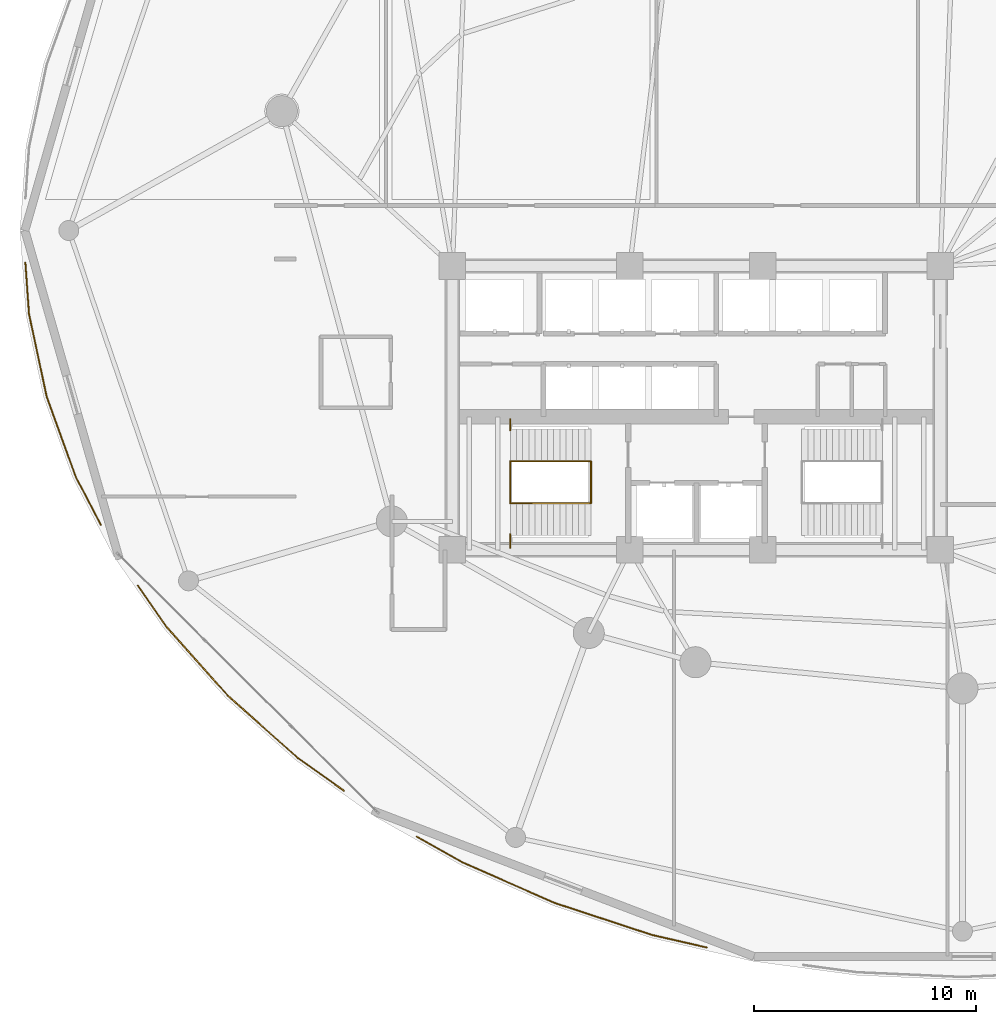
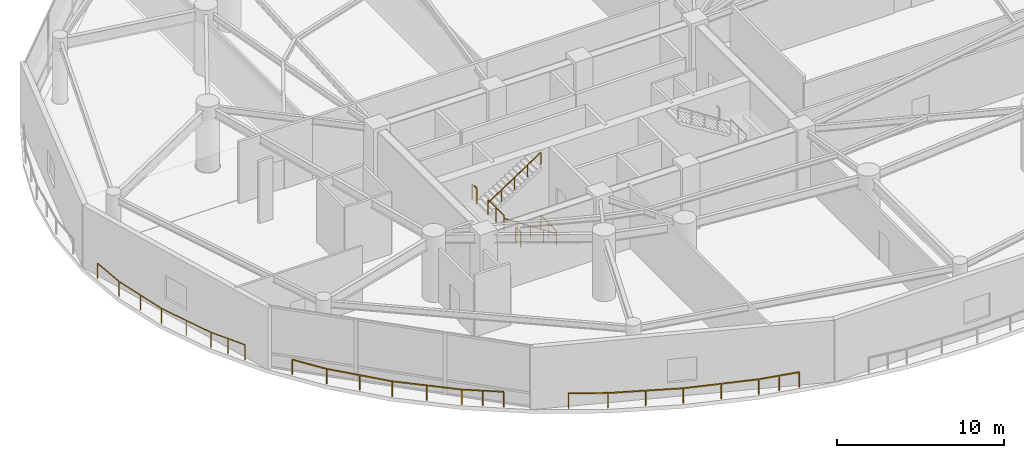
# One storey, part 35 of 40: 9 railings.
"""IFC4 building model written with IfcOpenShell, lengths in metres."""

from ifc_helpers import new_model, si_unit, direction, frame, origin, origin_2d, place, context, subcontext, project, spatial, rectangle, extrude, material, type_object, element, save


model = new_model("IFC4")

# Units and contexts
model_context = context("Model", 3, precision=1e-05, world=origin(), true_north=direction((0.0, 1.0)))
body_context = subcontext(model_context, "Body", "Model", "MODEL_VIEW")
ifc_project = project(units=[si_unit("LENGTHUNIT", "METRE"), si_unit("AREAUNIT", "SQUARE_METRE"), si_unit("VOLUMEUNIT", "CUBIC_METRE"), si_unit("PLANEANGLEUNIT", "RADIAN"), si_unit("MASSUNIT", "GRAM", prefix="KILO")], contexts=[model_context])

# Site, building, storey
site_placement = place(None, origin())
site = spatial("IfcSite", under=ifc_project, at=site_placement, CompositionType="ELEMENT")
building_placement = place(site_placement, origin())
building = spatial("IfcBuilding", under=site, at=building_placement, Name="Kazevale Care Tower and Concert Hall", CompositionType="ELEMENT")
storey_placement = place(building_placement, frame((0.0, 0.0, 4.800048828125)))
storey = spatial("IfcBuildingStorey", under=building, at=storey_placement, Name="L01", CompositionType="ELEMENT", Elevation=4.800048828125)

# Railings
ifc_material_1 = material(Name="Anodised Bronze Aluminium and Laminated Glass", Category="aluminium")
railing_type_1 = type_object("IfcRailingType", Name="Balcony and Terrace Balustrade 1120", PredefinedType="BALUSTRADE", material=ifc_material_1)
railing_1_placement = place(storey_placement, frame((6.135986328125, 24.738037109375, 0.0)))
element("IfcRailing", 1, at=railing_1_placement, inside=storey, type_object=railing_type_1, Name="rail:L01:perim:1", PredefinedType="BALUSTRADE", context=body_context, shape_type="SweptSolid", body=[
    extrude(rectangle(XDim=0.048095703125, YDim=0.048095703125, at=origin_2d()), frame((0.0, 0.0, 1.09619140625), z_axis=(-0.462140207553, 0.88680687219, 0.0), x_axis=(-0.88680687219, -0.462140207553, 0.0)), (0.0, 0.0, 1.0), 2.43017578125),
    extrude(rectangle(XDim=0.048095703125, YDim=0.048095703125, at=origin_2d()), frame((-1.123046875, 2.155029296875, 1.09619140625), z_axis=(-0.340410185576, 0.940277036599, 0.0), x_axis=(-0.940277036599, -0.340410185576, 0.0)), (0.0, 0.0, 1.0), 3.854248046875),
    extrude(rectangle(XDim=0.048095703125, YDim=0.048095703125, at=origin_2d()), frame((-2.43505859375, 5.779052734375, 1.09619140625), z_axis=(-0.20907738305, 0.977899099037, 0.0), x_axis=(-0.977899099037, -0.20907738305, 0.0)), (0.0, 0.0, 1.0), 3.802001953125),
    extrude(rectangle(XDim=0.048095703125, YDim=0.048095703125, at=origin_2d()), frame((-3.22998046875, 9.4970703125, 1.09619140625), z_axis=(-0.070459951237, 0.997514609052, 0.0), x_axis=(-0.997514609052, -0.070459951237, 0.0)), (0.0, 0.0, 1.0), 2.314697265625),
    extrude(rectangle(XDim=0.0419921875, YDim=0.0419921875, at=origin_2d()), origin(), (0.0, 0.0, 1.0), 1.072021484375),
    extrude(rectangle(XDim=0.0419921875, YDim=0.0419921875, at=origin_2d()), frame((-0.5615234375, 1.07763671875, 0.0)), (0.0, 0.0, 1.0), 1.072021484375),
    extrude(rectangle(XDim=0.0419921875, YDim=0.0419921875, at=origin_2d()), frame((-1.123046875, 2.155029296875, 0.0)), (0.0, 0.0, 1.0), 1.072021484375),
    extrude(rectangle(XDim=0.0419921875, YDim=0.0419921875, at=origin_2d()), frame((-1.779052734375, 3.967041015625, 0.0)), (0.0, 0.0, 1.0), 1.072021484375),
    extrude(rectangle(XDim=0.0419921875, YDim=0.0419921875, at=origin_2d()), frame((-2.43505859375, 5.779052734375, 0.0)), (0.0, 0.0, 1.0), 1.072021484375),
    extrude(rectangle(XDim=0.0419921875, YDim=0.0419921875, at=origin_2d()), frame((-2.83251953125, 7.63818359375, 0.0)), (0.0, 0.0, 1.0), 1.072021484375),
    extrude(rectangle(XDim=0.0419921875, YDim=0.0419921875, at=origin_2d()), frame((-3.22998046875, 9.4970703125, 0.0)), (0.0, 0.0, 1.0), 1.072021484375),
    extrude(rectangle(XDim=0.0419921875, YDim=0.0419921875, at=origin_2d()), frame((-3.39306640625, 11.805908203125, 0.0)), (0.0, 0.0, 1.0), 1.072021484375),
])
railing_2_placement = place(storey_placement, frame((17.10107421875, 12.740966796875, 0.0)))
element("IfcRailing", 2, at=railing_2_placement, inside=storey, type_object=railing_type_1, Name="rail:L01:perim:4", PredefinedType="BALUSTRADE", context=body_context, shape_type="SweptSolid", body=[
    extrude(rectangle(XDim=0.048095703125, YDim=0.048095703125, at=origin_2d()), frame((0.0, 0.0, 1.09619140625), z_axis=(-0.815188786096, 0.579195340989, 0.0), x_axis=(-0.579195340989, -0.815188786096, 0.0)), (0.0, 0.0, 1.0), 2.53466796875),
    extrude(rectangle(XDim=0.048095703125, YDim=0.048095703125, at=origin_2d()), frame((-2.066162109375, 1.468017578125, 1.09619140625), z_axis=(-0.746983011463, 0.664843124794, 0.0), x_axis=(-0.664843124794, -0.746983011463, 0.0)), (0.0, 0.0, 1.0), 4.2353515625),
    extrude(rectangle(XDim=0.048095703125, YDim=0.048095703125, at=origin_2d()), frame((-5.22998046875, 4.283935546875, 1.09619140625), z_axis=(-0.665728837253, 0.746193751816, 0.0), x_axis=(-0.746193751816, -0.665728837253, 0.0)), (0.0, 0.0, 1.0), 4.12646484375),
    extrude(rectangle(XDim=0.048095703125, YDim=0.048095703125, at=origin_2d()), frame((-7.97705078125, 7.363037109375, 1.09619140625), z_axis=(-0.570672394322, 0.821177823835, 0.0), x_axis=(-0.821177823835, -0.570672394322, 0.0)), (0.0, 0.0, 1.0), 2.299072265625),
    extrude(rectangle(XDim=0.0419921875, YDim=0.0419921875, at=origin_2d()), origin(), (0.0, 0.0, 1.0), 1.072021484375),
    extrude(rectangle(XDim=0.0419921875, YDim=0.0419921875, at=origin_2d()), frame((-1.033203125, 0.73388671875, 0.0)), (0.0, 0.0, 1.0), 1.072021484375),
    extrude(rectangle(XDim=0.0419921875, YDim=0.0419921875, at=origin_2d()), frame((-2.066162109375, 1.468017578125, 0.0)), (0.0, 0.0, 1.0), 1.072021484375),
    extrude(rectangle(XDim=0.0419921875, YDim=0.0419921875, at=origin_2d()), frame((-3.64794921875, 2.8759765625, 0.0)), (0.0, 0.0, 1.0), 1.072021484375),
    extrude(rectangle(XDim=0.0419921875, YDim=0.0419921875, at=origin_2d()), frame((-5.22998046875, 4.283935546875, 0.0)), (0.0, 0.0, 1.0), 1.072021484375),
    extrude(rectangle(XDim=0.0419921875, YDim=0.0419921875, at=origin_2d()), frame((-6.603515625, 5.823486328125, 0.0)), (0.0, 0.0, 1.0), 1.072021484375),
    extrude(rectangle(XDim=0.0419921875, YDim=0.0419921875, at=origin_2d()), frame((-7.97705078125, 7.363037109375, 0.0)), (0.0, 0.0, 1.0), 1.072021484375),
    extrude(rectangle(XDim=0.0419921875, YDim=0.0419921875, at=origin_2d()), frame((-9.2890625, 9.2509765625, 0.0)), (0.0, 0.0, 1.0), 1.072021484375),
])
railing_3_placement = place(storey_placement, frame((33.47509765625, 5.6650390625, 0.0)))
element("IfcRailing", 3, at=railing_3_placement, inside=storey, type_object=railing_type_1, Name="rail:L01:perim:5", PredefinedType="BALUSTRADE", context=body_context, shape_type="SweptSolid", body=[
    extrude(rectangle(XDim=0.048095703125, YDim=0.048095703125, at=origin_2d()), frame((0.0, 0.0, 1.09619140625), z_axis=(-0.974740171393, 0.223341886518, 0.0), x_axis=(-0.223341886518, -0.974740171393, 0.0)), (0.0, 0.0, 1.0), 2.538330078125),
    extrude(rectangle(XDim=0.048095703125, YDim=0.048095703125, at=origin_2d()), frame((-2.47412109375, 0.56689453125, 1.09619140625), z_axis=(-0.949817857606, 0.312803512405, 0.0), x_axis=(-0.312803512405, -0.949817857606, 0.0)), (0.0, 0.0, 1.0), 4.622802734375),
    extrude(rectangle(XDim=0.048095703125, YDim=0.048095703125, at=origin_2d()), frame((-6.864990234375, 2.012939453125, 1.09619140625), z_axis=(-0.915470269762, 0.402385617514, 0.0), x_axis=(-0.402385617514, -0.915470269762, 0.0)), (0.0, 0.0, 1.0), 4.543212890625),
    extrude(rectangle(XDim=0.048095703125, YDim=0.048095703125, at=origin_2d()), frame((-11.024169921875, 3.841064453125, 1.09619140625), z_axis=(-0.870864175029, 0.491523741696, 0.0), x_axis=(-0.491523741696, -0.870864175029, 0.0)), (0.0, 0.0, 1.0), 2.36767578125),
    extrude(rectangle(XDim=0.0419921875, YDim=0.0419921875, at=origin_2d()), origin(), (0.0, 0.0, 1.0), 1.072021484375),
    extrude(rectangle(XDim=0.0419921875, YDim=0.0419921875, at=origin_2d()), frame((-1.237060546875, 0.283447265625, 0.0)), (0.0, 0.0, 1.0), 1.072021484375),
    extrude(rectangle(XDim=0.0419921875, YDim=0.0419921875, at=origin_2d()), frame((-2.47412109375, 0.56689453125, 0.0)), (0.0, 0.0, 1.0), 1.072021484375),
    extrude(rectangle(XDim=0.0419921875, YDim=0.0419921875, at=origin_2d()), frame((-4.66943359375, 1.2900390625, 0.0)), (0.0, 0.0, 1.0), 1.072021484375),
    extrude(rectangle(XDim=0.0419921875, YDim=0.0419921875, at=origin_2d()), frame((-6.864990234375, 2.012939453125, 0.0)), (0.0, 0.0, 1.0), 1.072021484375),
    extrude(rectangle(XDim=0.0419921875, YDim=0.0419921875, at=origin_2d()), frame((-8.944580078125, 2.927001953125, 0.0)), (0.0, 0.0, 1.0), 1.072021484375),
    extrude(rectangle(XDim=0.0419921875, YDim=0.0419921875, at=origin_2d()), frame((-11.024169921875, 3.841064453125, 0.0)), (0.0, 0.0, 1.0), 1.072021484375),
    extrude(rectangle(XDim=0.0419921875, YDim=0.0419921875, at=origin_2d()), frame((-13.086181640625, 5.0048828125, 0.0)), (0.0, 0.0, 1.0), 1.072021484375),
])
ifc_material_2 = material(Name="Stainless Steel 316", Category="steel")
railing_type_2 = type_object("IfcRailingType", Name="Stair Pitch Handrail 920", PredefinedType="HANDRAIL", material=ifc_material_2)
railing_4_placement = place(storey_placement, frame((28.25, 25.699951171875, 0.0)))
element("IfcRailing", 4, at=railing_4_placement, inside=storey, type_object=railing_type_2, Name="stair:L01:ST1:hr1", PredefinedType="HANDRAIL", context=body_context, shape_type="SweptSolid", body=[
    extrude(rectangle(XDim=0.048095703125, YDim=0.048095703125, at=origin_2d()), frame((0.0, 0.0, 0.89599609375), z_axis=(-0.834865213223, 0.0, 0.550454426587), x_axis=(0.0, -1.0, 0.0)), (0.0, 0.0, 1.0), 4.35986328125),
    extrude(rectangle(XDim=0.0419921875, YDim=0.0419921875, at=origin_2d()), origin(), (0.0, 0.0, 1.0), 0.871826171875),
    extrude(rectangle(XDim=0.0419921875, YDim=0.0419921875, at=origin_2d()), frame((-0.909912109375, 0.0, 0.60009765625)), (0.0, 0.0, 1.0), 0.871826171875),
    extrude(rectangle(XDim=0.0419921875, YDim=0.0419921875, at=origin_2d()), frame((-1.81982421875, 0.0, 1.199951171875)), (0.0, 0.0, 1.0), 0.871826171875),
    extrude(rectangle(XDim=0.0419921875, YDim=0.0419921875, at=origin_2d()), frame((-2.72998046875, 0.0, 1.7998046875)), (0.0, 0.0, 1.0), 0.871826171875),
    extrude(rectangle(XDim=0.0419921875, YDim=0.0419921875, at=origin_2d()), frame((-3.639892578125, 0.0, 2.39990234375)), (0.0, 0.0, 1.0), 0.871826171875),
])
railing_5_placement = place(storey_placement, frame((24.610107421875, 27.60009765625, 2.39990234375)))
element("IfcRailing", 5, at=railing_5_placement, inside=storey, type_object=railing_type_2, Name="stair:L01:ST1:hr2", PredefinedType="HANDRAIL", context=body_context, shape_type="SweptSolid", body=[
    extrude(rectangle(XDim=0.048095703125, YDim=0.048095703125, at=origin_2d()), frame((0.0, 0.0, 0.89599609375), z_axis=(0.834839479206, 0.0, 0.550493454965), x_axis=(0.0, 1.0, 0.0)), (0.0, 0.0, 1.0), 4.360107421875),
    extrude(rectangle(XDim=0.0419921875, YDim=0.0419921875, at=origin_2d()), origin(), (0.0, 0.0, 1.0), 0.871826171875),
    extrude(rectangle(XDim=0.0419921875, YDim=0.0419921875, at=origin_2d()), frame((0.909912109375, 0.0, 0.60009765625)), (0.0, 0.0, 1.0), 0.871826171875),
    extrude(rectangle(XDim=0.0419921875, YDim=0.0419921875, at=origin_2d()), frame((1.81982421875, 0.0, 1.2001953125)), (0.0, 0.0, 1.0), 0.871826171875),
    extrude(rectangle(XDim=0.0419921875, YDim=0.0419921875, at=origin_2d()), frame((2.72998046875, 0.0, 1.800048828125)), (0.0, 0.0, 1.0), 0.871826171875),
    extrude(rectangle(XDim=0.0419921875, YDim=0.0419921875, at=origin_2d()), frame((3.639892578125, 0.0, 2.400146484375)), (0.0, 0.0, 1.0), 0.871826171875),
])
railing_type_3 = type_object("IfcRailingType", Name="Stair Well Guard Balustrade 1120", PredefinedType="BALUSTRADE", material=ifc_material_2)
railing_6_placement = place(storey_placement, frame((24.610107421875, 23.699951171875, 2.39990234375)))
element("IfcRailing", 6, at=railing_6_placement, inside=storey, type_object=railing_type_3, Name="stair:L01:ST1:grd_side1", PredefinedType="BALUSTRADE", context=body_context, shape_type="SweptSolid", body=[
    extrude(rectangle(XDim=0.048095703125, YDim=0.048095703125, at=origin_2d()), frame((0.0, 0.0, 1.09619140625), z_axis=(0.0, 1.0, 0.0), x_axis=(-1.0, 0.0, 0.0)), (0.0, 0.0, 1.0), 0.610107421875),
    extrude(rectangle(XDim=0.0419921875, YDim=0.0419921875, at=origin_2d()), origin(), (0.0, 0.0, 1.0), 1.072021484375),
    extrude(rectangle(XDim=0.0419921875, YDim=0.0419921875, at=origin_2d()), frame((0.0, 0.610107421875, 0.0)), (0.0, 0.0, 1.0), 1.072021484375),
])
railing_7_placement = place(storey_placement, frame((24.610107421875, 28.989990234375, 2.39990234375)))
element("IfcRailing", 7, at=railing_7_placement, inside=storey, type_object=railing_type_3, Name="stair:L01:ST1:grd_side2", PredefinedType="BALUSTRADE", context=body_context, shape_type="SweptSolid", body=[
    extrude(rectangle(XDim=0.048095703125, YDim=0.048095703125, at=origin_2d()), frame((0.0, 0.0, 1.09619140625), z_axis=(0.0, 1.0, 0.0), x_axis=(-1.0, 0.0, 0.0)), (0.0, 0.0, 1.0), 0.510009765625),
    extrude(rectangle(XDim=0.0419921875, YDim=0.0419921875, at=origin_2d()), origin(), (0.0, 0.0, 1.0), 1.072021484375),
    extrude(rectangle(XDim=0.0419921875, YDim=0.0419921875, at=origin_2d()), frame((0.0, 0.510009765625, 0.0)), (0.0, 0.0, 1.0), 1.072021484375),
])
for number, where, name in (
    (8, (24.610107421875, 25.699951171875, 2.39990234375), "stair:L01:ST1:grd_mid"),
    (9, (28.25, 25.699951171875, 0.0), "stair:L01:ST1:grd_flr"),
):
    element("IfcRailing", number, at=place(storey_placement, frame(where)), inside=storey, type_object=railing_type_3, Name=name, PredefinedType="BALUSTRADE", context=body_context, shape_type="SweptSolid", body=[
        extrude(rectangle(XDim=0.048095703125, YDim=0.048095703125, at=origin_2d()), frame((0.0, 0.0, 1.09619140625), z_axis=(0.0, 1.0, 0.0), x_axis=(-1.0, 0.0, 0.0)), (0.0, 0.0, 1.0), 1.900146484375),
        extrude(rectangle(XDim=0.0419921875, YDim=0.0419921875, at=origin_2d()), origin(), (0.0, 0.0, 1.0), 1.072021484375),
        extrude(rectangle(XDim=0.0419921875, YDim=0.0419921875, at=origin_2d()), frame((0.0, 0.9501953125, 0.0)), (0.0, 0.0, 1.0), 1.072021484375),
        extrude(rectangle(XDim=0.0419921875, YDim=0.0419921875, at=origin_2d()), frame((0.0, 1.900146484375, 0.0)), (0.0, 0.0, 1.0), 1.072021484375),
    ])

save(model, "model.ifc")
